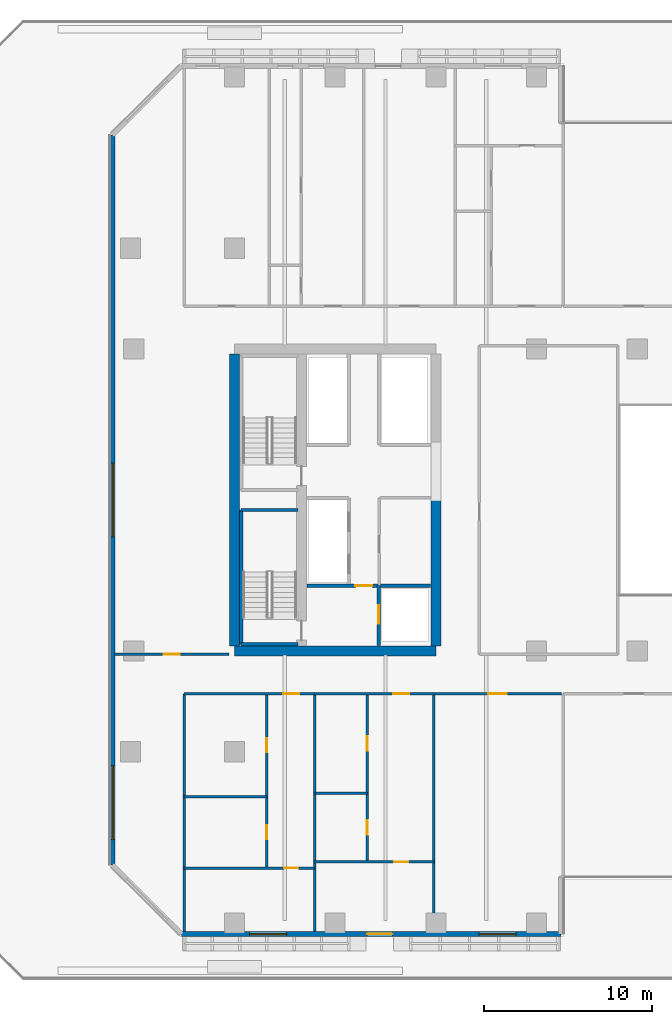
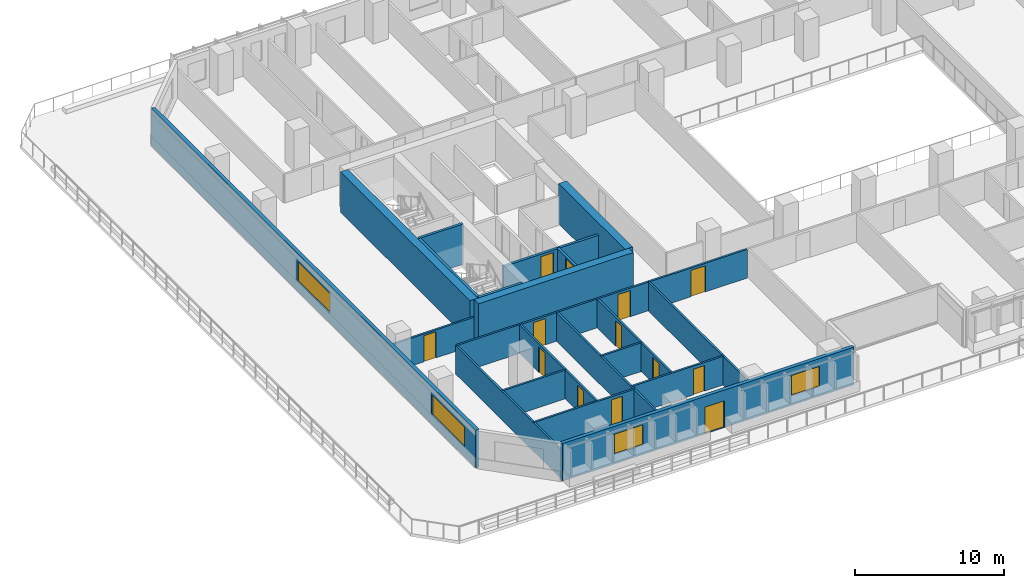
# One storey, part 6 of 23: 23 walls, 13 doors, 4 windows, 17 openings.
"""IFC4 building model written with IfcOpenShell, lengths in metres."""

from ifc_helpers import new_model, si_unit, direction, frame, frame_2d, origin, place, context, subcontext, project, spatial, rectangle, extrude, material, layer, layer_set, type_object, element, fill, save


model = new_model("IFC4")

# Units and contexts
model_context = context("Model", 3, precision=1e-05, world=origin(), true_north=direction((0.0, 1.0)))
body_context = subcontext(model_context, "Body", "Model", "MODEL_VIEW")
ifc_project = project(units=[si_unit("LENGTHUNIT", "METRE"), si_unit("AREAUNIT", "SQUARE_METRE"), si_unit("VOLUMEUNIT", "CUBIC_METRE"), si_unit("PLANEANGLEUNIT", "RADIAN"), si_unit("MASSUNIT", "GRAM", prefix="KILO")], contexts=[model_context])

# Site, building, storey
site_placement = place(None, origin())
site = spatial("IfcSite", under=ifc_project, at=site_placement, CompositionType="ELEMENT")
building_placement = place(site_placement, origin())
building = spatial("IfcBuilding", under=site, at=building_placement, Name="Tanjung Sevakor Pilgrim Tower", CompositionType="ELEMENT")
storey_placement = place(building_placement, frame((0.0, 0.0, 29.0400390625)))
storey = spatial("IfcBuildingStorey", under=building, at=storey_placement, Name="L07", CompositionType="ELEMENT", Elevation=29.0400390625)

# Walls
ifc_material_1 = material(Name="Concrete C60/75", Category="concrete")
ifc_layer_1 = layer(ifc_material_1, 0.60009765625)
ifc_layer_set_1 = layer_set([ifc_layer_1], Name="WALL-CW-600")
wall_type_1 = type_object("IfcWallType", Name="WALL-CW-600", PredefinedType="SHEAR", material=ifc_layer_set_1)
wall_1_placement = place(storey_placement, frame((24.0, 24.60009765625, 0.0), z_axis=(0.0, 0.0, 1.0), x_axis=(1.0, 0.0, 0.0)))
element("IfcWall", 1, at=wall_1_placement, inside=storey, type_object=wall_type_1, Name="L07 W Core South Shear Wall", PredefinedType="SHEAR", context=body_context, shape_type="SweptSolid", body=[
    extrude(rectangle(XDim=12.0, YDim=0.60009765625, at=frame_2d((6.0, 0.0))), origin(), (0.0, 0.0, 1.0), 3.300048828125),
])
wall_2_placement = place(storey_placement, frame((24.0, 24.89990234375, 0.0), z_axis=(0.0, 0.0, 1.0), x_axis=(0.0, 1.0, 0.0)))
element("IfcWall", 2, at=wall_2_placement, inside=storey, type_object=wall_type_1, Name="L07 W Core Outer Shear Wall", PredefinedType="SHEAR", context=body_context, shape_type="SweptSolid", body=[
    extrude(rectangle(XDim=17.400146484375, YDim=0.60009765625, at=frame_2d((8.7001953125, 0.0))), origin(), (0.0, 0.0, 1.0), 3.300048828125),
])
wall_3_placement = place(storey_placement, frame((36.0, 24.89990234375, 0.0), z_axis=(0.0, 0.0, 1.0), x_axis=(0.0, 1.0, 0.0)))
element("IfcWall", 3, at=wall_3_placement, inside=storey, type_object=wall_type_1, Name="L07 W Core Inner Shear Wall South", PredefinedType="SHEAR", context=body_context, shape_type="SweptSolid", body=[
    extrude(rectangle(XDim=8.900146484375, YDim=0.60009765625, at=frame_2d((4.4501953125, 0.0))), origin(), (0.0, 0.0, 1.0), 3.300048828125),
])

# Wall, opening, door
ifc_material_2 = material(Name="Concrete C40/50", Category="concrete")
ifc_layer_2 = layer(ifc_material_2, 0.14990234375)
ifc_layer_set_2 = layer_set([ifc_layer_2], Name="WT-COMP-150")
wall_type_2 = type_object("IfcWallType", Name="WT-COMP-150", PredefinedType="SOLIDWALL", material=ifc_layer_set_2)
wall_4_placement = place(storey_placement, frame((16.840087890625, 24.39990234375, 0.0), z_axis=(0.0, 0.0, 1.0), x_axis=(1.0, 0.0, 0.0)))
wall_4 = element("IfcWall", 4, at=wall_4_placement, inside=storey, type_object=wall_type_2, Name="L07 Partition IW-L07-029", PredefinedType="SOLIDWALL", context=body_context, shape_type="SweptSolid", body=[
    extrude(rectangle(XDim=6.83984375, YDim=0.14990234375, at=frame_2d((3.419921875, 0.0))), origin(), (0.0, 0.0, 1.0), 2.295166015625),
])
opening_1_placement = place(wall_4_placement, frame((2.945068359375, 0.0, 0.0)))
opening_1 = element("IfcOpeningElement", 5, at=opening_1_placement, cuts=wall_4, Name="Opening ID-FD2", PredefinedType="OPENING", context=body_context, shape_type="SweptSolid", body=[
    extrude(rectangle(XDim=0.949951171875, YDim=2.14990234375, at=frame_2d((0.47509765625, 1.074951171875))), frame((0.0, 0.0849609375, 0.0), z_axis=(0.0, -1.0, 0.0), x_axis=(1.0, 0.0, 0.0)), (0.0, 0.0, 1.0), 0.169921875),
])
ifc_material_3 = material(Name="Fire-Rated Timber", Category="wood")
door_type_1 = type_object("IfcDoorType", Name="DT-FIRE-950", OperationType="NOTDEFINED", PredefinedType="DOOR", material=ifc_material_3)
door_1_placement = place(opening_1_placement, origin())
door_1 = element("IfcDoor", 6, at=door_1_placement, inside=storey, type_object=door_type_1, Name="Study Room Entrance", OperationType="SINGLE_SWING_RIGHT", OverallHeight=2.14990234375, OverallWidth=0.949951171875, PredefinedType="DOOR", context=body_context, shape_type="SweptSolid", body=[
    extrude(rectangle(XDim=0.949951171875, YDim=2.14990234375, at=frame_2d((0.47509765625, 1.074951171875))), frame((0.0, 0.02490234375, 0.0), z_axis=(0.0, -1.0, 0.0), x_axis=(1.0, 0.0, 0.0)), (0.0, 0.0, 1.0), 0.050048828125),
])
fill(opening_1, door_1)

# Walls
for number, where, z_axis, x_axis, name in (
    (7, (21.0, 7.8798828125, 0.0), (0.0, 0.0, 1.0), (0.0, 1.0, 0.0), "L07 Partition IW-L07-042"),
    (8, (28.779296875, 7.8798828125, 0.0), (0.0, 0.0, 1.0), (0.0, 1.0, 0.0), "L07 Partition IW-L07-043"),
):
    element("IfcWall", number, at=place(storey_placement, frame(where, z_axis=z_axis, x_axis=x_axis)), inside=storey, type_object=wall_type_2, Name=name, PredefinedType="SOLIDWALL", context=body_context, shape_type="SweptSolid", body=[
        extrude(rectangle(XDim=14.170166015625, YDim=0.14990234375, at=frame_2d((7.0849609375, 0.0))), origin(), (0.0, 0.0, 1.0), 2.35009765625),
    ])

# Wall, opening, door
wall_5_placement = place(storey_placement, frame((21.0, 22.050048828125, 0.0), z_axis=(0.0, 0.0, 1.0), x_axis=(1.0, 0.0, 0.0)))
wall_5 = element("IfcWall", 9, at=wall_5_placement, inside=storey, type_object=wall_type_2, Name="L07 Partition IW-L07-047", PredefinedType="SOLIDWALL", context=body_context, shape_type="SweptSolid", body=[
    extrude(rectangle(XDim=7.779296875, YDim=0.14990234375, at=frame_2d((3.8896484375, 0.0))), origin(), (0.0, 0.0, 1.0), 2.35009765625),
])
opening_2_placement = place(wall_5_placement, frame((5.91455078125, 0.0, 0.0)))
opening_2 = element("IfcOpeningElement", 10, at=opening_2_placement, cuts=wall_5, Name="Opening ID-FD2", PredefinedType="OPENING", context=body_context, shape_type="SweptSolid", body=[
    extrude(rectangle(XDim=0.949951171875, YDim=2.14990234375, at=frame_2d((0.47509765625, 1.074951171875))), frame((0.0, 0.0849609375, 0.0), z_axis=(0.0, -1.0, 0.0), x_axis=(1.0, 0.0, 0.0)), (0.0, 0.0, 1.0), 0.169921875),
])
door_2_placement = place(opening_2_placement, origin())
door_2 = element("IfcDoor", 11, at=door_2_placement, inside=storey, type_object=door_type_1, Name="Residence Entrance", OperationType="SINGLE_SWING_RIGHT", OverallHeight=2.14990234375, OverallWidth=0.949951171875, PredefinedType="DOOR", context=body_context, shape_type="SweptSolid", body=[
    extrude(rectangle(XDim=0.949951171875, YDim=2.14990234375, at=frame_2d((0.47509765625, 1.074951171875))), frame((0.0, 0.02490234375, 0.0), z_axis=(0.0, -1.0, 0.0), x_axis=(1.0, 0.0, 0.0)), (0.0, 0.0, 1.0), 0.050048828125),
])
fill(opening_2, door_2)

# Wall
wall_6_placement = place(storey_placement, frame((35.884521484375, 7.8798828125, 0.0), z_axis=(0.0, 0.0, 1.0), x_axis=(0.0, 1.0, 0.0)))
element("IfcWall", 12, at=wall_6_placement, inside=storey, type_object=wall_type_2, Name="L07 Partition IW-L07-048", PredefinedType="SOLIDWALL", context=body_context, shape_type="SweptSolid", body=[
    extrude(rectangle(XDim=14.170166015625, YDim=0.14990234375, at=frame_2d((7.0849609375, 0.0))), origin(), (0.0, 0.0, 1.0), 2.35009765625),
])

# Wall, opening, door
wall_7_placement = place(storey_placement, frame((28.779296875, 22.050048828125, 0.0), z_axis=(0.0, 0.0, 1.0), x_axis=(1.0, 0.0, 0.0)))
wall_7 = element("IfcWall", 13, at=wall_7_placement, inside=storey, type_object=wall_type_2, Name="L07 Partition IW-L07-052", PredefinedType="SOLIDWALL", context=body_context, shape_type="SweptSolid", body=[
    extrude(rectangle(XDim=7.105224609375, YDim=0.14990234375, at=frame_2d((3.552734375, 0.0))), origin(), (0.0, 0.0, 1.0), 2.35009765625),
])
opening_3_placement = place(wall_7_placement, frame((4.68798828125, 0.0, 0.0)))
opening_3 = element("IfcOpeningElement", 14, at=opening_3_placement, cuts=wall_7, Name="Opening ID-FD2", PredefinedType="OPENING", context=body_context, shape_type="SweptSolid", body=[
    extrude(rectangle(XDim=0.949951171875, YDim=2.14990234375, at=frame_2d((0.47509765625, 1.074951171875))), frame((0.0, 0.0849609375, 0.0), z_axis=(0.0, -1.0, 0.0), x_axis=(1.0, 0.0, 0.0)), (0.0, 0.0, 1.0), 0.169921875),
])
door_3_placement = place(opening_3_placement, origin())
door_3 = element("IfcDoor", 15, at=door_3_placement, inside=storey, type_object=door_type_1, Name="Residence Entrance", OperationType="SINGLE_SWING_RIGHT", OverallHeight=2.14990234375, OverallWidth=0.949951171875, PredefinedType="DOOR", context=body_context, shape_type="SweptSolid", body=[
    extrude(rectangle(XDim=0.949951171875, YDim=2.14990234375, at=frame_2d((0.47509765625, 1.074951171875))), frame((0.0, 0.02490234375, 0.0), z_axis=(0.0, -1.0, 0.0), x_axis=(1.0, 0.0, 0.0)), (0.0, 0.0, 1.0), 0.050048828125),
])
fill(opening_3, door_3)

wall_8_placement = place(storey_placement, frame((35.884521484375, 22.050048828125, 0.0), z_axis=(0.0, 0.0, 1.0), x_axis=(1.0, 0.0, 0.0)))
wall_8 = element("IfcWall", 16, at=wall_8_placement, inside=storey, type_object=wall_type_2, Name="L07 Partition IW-L07-053", PredefinedType="SOLIDWALL", context=body_context, shape_type="SweptSolid", body=[
    extrude(rectangle(XDim=7.595458984375, YDim=0.14990234375, at=frame_2d((3.7978515625, 0.0))), origin(), (0.0, 0.0, 1.0), 2.35009765625),
])
opening_4_placement = place(wall_8_placement, frame((3.247802734375, 0.0, 0.0)))
opening_4 = element("IfcOpeningElement", 17, at=opening_4_placement, cuts=wall_8, Name="Opening ID-FD0", PredefinedType="OPENING", context=body_context, shape_type="SweptSolid", body=[
    extrude(rectangle(XDim=1.10009765625, YDim=2.14990234375, at=frame_2d((0.550048828125, 1.074951171875))), frame((0.0, 0.0849609375, 0.0), z_axis=(0.0, -1.0, 0.0), x_axis=(1.0, 0.0, 0.0)), (0.0, 0.0, 1.0), 0.169921875),
])
ifc_material_4 = material(Name="Fire-Rated Steel S355J2", Category="steel")
door_type_2 = type_object("IfcDoorType", Name="DT-FIRE-1100", OperationType="NOTDEFINED", PredefinedType="DOOR", material=ifc_material_4)
door_4_placement = place(opening_4_placement, origin())
door_4 = element("IfcDoor", 18, at=door_4_placement, inside=storey, type_object=door_type_2, Name="Communal Lounge Door", OperationType="SINGLE_SWING_LEFT", OverallHeight=2.14990234375, OverallWidth=1.10009765625, PredefinedType="DOOR", context=body_context, shape_type="SweptSolid", body=[
    extrude(rectangle(XDim=1.10009765625, YDim=2.14990234375, at=frame_2d((0.550048828125, 1.074951171875))), frame((0.0, 0.02490234375, 0.0), z_axis=(0.0, -1.0, 0.0), x_axis=(1.0, 0.0, 0.0)), (0.0, 0.0, 1.0), 0.050048828125),
])
fill(opening_4, door_4)

# Wall, openings, door, windows
ifc_material_5 = material(Name="Precast concrete C45/55", Category="concrete")
ifc_layer_3 = layer(ifc_material_5, 0.280029296875)
ifc_layer_set_3 = layer_set([ifc_layer_3], Name="WT-EW-STN2")
wall_type_3 = type_object("IfcWallType", Name="WT-EW-STN2", PredefinedType="SOLIDWALL", material=ifc_layer_set_3)
wall_9_placement = place(storey_placement, frame((20.85791015625, 7.739990234375, 0.0), z_axis=(0.0, 0.0, 1.0), x_axis=(1.0, 0.0, 0.0)))
wall_9 = element("IfcWall", 19, at=wall_9_placement, inside=storey, type_object=wall_type_3, Name="L07 MAIN Exterior Wall 1", PredefinedType="SOLIDWALL", context=body_context, shape_type="SweptSolid", body=[
    extrude(rectangle(XDim=22.60205078125, YDim=0.280029296875, at=frame_2d((11.301025390625, 0.0))), origin(), (0.0, 0.0, 1.0), 3.080078125),
])
opening_5_placement = place(wall_9_placement, frame((11.051025390625, 0.0, 0.0)))
opening_5 = element("IfcOpeningElement", 20, at=opening_5_placement, cuts=wall_9, Name="Opening ED-TER-1500", PredefinedType="OPENING", context=body_context, shape_type="SweptSolid", body=[
    extrude(rectangle(XDim=1.5, YDim=2.199951171875, at=frame_2d((0.75, 1.10009765625))), frame((0.0, 0.14990234375, 0.0), z_axis=(0.0, -1.0, 0.0), x_axis=(1.0, 0.0, 0.0)), (0.0, 0.0, 1.0), 0.300048828125),
])
opening_6_placement = place(wall_9_placement, frame((4.051513671875, 0.0, 0.780029296875)))
opening_6 = element("IfcOpeningElement", 21, at=opening_6_placement, cuts=wall_9, Name="Opening WN-Z1-1660", PredefinedType="OPENING", context=body_context, shape_type="SweptSolid", body=[
    extrude(rectangle(XDim=2.199951171875, YDim=1.659912109375, at=frame_2d((1.10009765625, 0.830078125))), frame((0.0, 0.14990234375, 0.0), z_axis=(0.0, -1.0, 0.0), x_axis=(1.0, 0.0, 0.0)), (0.0, 0.0, 1.0), 0.300048828125),
])
opening_7_placement = place(wall_9_placement, frame((17.724365234375, 0.0, 0.780029296875)))
opening_7 = element("IfcOpeningElement", 22, at=opening_7_placement, cuts=wall_9, Name="Opening WN-Z1-1660", PredefinedType="OPENING", context=body_context, shape_type="SweptSolid", body=[
    extrude(rectangle(XDim=2.199951171875, YDim=1.659912109375, at=frame_2d((1.10009765625, 0.830078125))), frame((0.0, 0.14990234375, 0.0), z_axis=(0.0, -1.0, 0.0), x_axis=(1.0, 0.0, 0.0)), (0.0, 0.0, 1.0), 0.300048828125),
])
ifc_material_6 = material(Name="Anodised Aluminium and Laminated Glass", Category="aluminium")
door_type_3 = type_object("IfcDoorType", Name="DTYP-ED-TER-1500", OperationType="DOUBLE_DOOR_SINGLE_SWING", PredefinedType="DOOR", material=ifc_material_6)
door_5_placement = place(opening_5_placement, frame((1.5, 0.0, 0.0), z_axis=(0.0, 0.0, 1.0), x_axis=(-1.0, 0.0, 0.0)))
door_5 = element("IfcDoor", 23, at=door_5_placement, inside=storey, type_object=door_type_3, Name="L07 Cascade Terrace Door S", OperationType="SINGLE_SWING_RIGHT", OverallHeight=2.199951171875, OverallWidth=1.5, PredefinedType="DOOR", context=body_context, shape_type="SweptSolid", body=[
    extrude(rectangle(XDim=1.5, YDim=2.199951171875, at=frame_2d((0.75, 1.10009765625))), frame((0.0, 0.02490234375, 0.0), z_axis=(0.0, -1.0, 0.0), x_axis=(1.0, 0.0, 0.0)), (0.0, 0.0, 1.0), 0.050048828125),
])
fill(opening_5, door_5)
ifc_material_7 = material(Name="Thermally Broken Aluminium and Low-E Glass", Category="aluminium")
window_type_1 = type_object("IfcWindowType", Name="WTYP-WN-Z1-1660", PartitioningType="DOUBLE_PANEL_VERTICAL", PredefinedType="WINDOW", material=ifc_material_7)
window_1_placement = place(opening_6_placement, origin())
window_1 = element("IfcWindow", 24, at=window_1_placement, inside=storey, type_object=window_type_1, Name="L07 Facade Window 01", OverallHeight=1.659912109375, OverallWidth=2.199951171875, PartitioningType="SINGLE_PANEL", PredefinedType="WINDOW", context=body_context, shape_type="SweptSolid", body=[
    extrude(rectangle(XDim=2.199951171875, YDim=1.659912109375, at=frame_2d((1.10009765625, 0.830078125))), frame((0.0, 0.030029296875, 0.0), z_axis=(0.0, -1.0, 0.0), x_axis=(1.0, 0.0, 0.0)), (0.0, 0.0, 1.0), 0.06005859375),
])
fill(opening_6, window_1)
window_2_placement = place(opening_7_placement, origin())
window_2 = element("IfcWindow", 25, at=window_2_placement, inside=storey, type_object=window_type_1, Name="L07 Facade Window 02", OverallHeight=1.659912109375, OverallWidth=2.199951171875, PartitioningType="SINGLE_PANEL", PredefinedType="WINDOW", context=body_context, shape_type="SweptSolid", body=[
    extrude(rectangle(XDim=2.199951171875, YDim=1.659912109375, at=frame_2d((1.10009765625, 0.830078125))), frame((0.0, 0.030029296875, 0.0), z_axis=(0.0, -1.0, 0.0), x_axis=(1.0, 0.0, 0.0)), (0.0, 0.0, 1.0), 0.06005859375),
])
fill(opening_7, window_2)

# Wall, openings, windows
wall_10_placement = place(storey_placement, frame((16.739990234375, 55.342041015625, 0.0), z_axis=(0.0, 0.0, 1.0), x_axis=(0.0, -1.0, 0.0)))
wall_10 = element("IfcWall", 26, at=wall_10_placement, inside=storey, type_object=wall_type_3, Name="L07 MAIN Exterior Wall 15", PredefinedType="SOLIDWALL", context=body_context, shape_type="SweptSolid", body=[
    extrude(rectangle(XDim=43.484130859375, YDim=0.280029296875, at=frame_2d((21.7421875, 0.0))), origin(), (0.0, 0.0, 1.0), 3.080078125),
])
opening_8_placement = place(wall_10_placement, frame((19.5419921875, 0.0, 0.780029296875)))
opening_8 = element("IfcOpeningElement", 27, at=opening_8_placement, cuts=wall_10, Name="Opening WN-ENDW-1660", PredefinedType="OPENING", context=body_context, shape_type="SweptSolid", body=[
    extrude(rectangle(XDim=4.39990234375, YDim=1.659912109375, at=frame_2d((2.199951171875, 0.830078125))), frame((0.0, 0.14990234375, 0.0), z_axis=(0.0, -1.0, 0.0), x_axis=(1.0, 0.0, 0.0)), (0.0, 0.0, 1.0), 0.300048828125),
])
opening_9_placement = place(wall_10_placement, frame((37.572998046875, 0.0, 0.780029296875)))
opening_9 = element("IfcOpeningElement", 28, at=opening_9_placement, cuts=wall_10, Name="Opening WN-ENDW-1660", PredefinedType="OPENING", context=body_context, shape_type="SweptSolid", body=[
    extrude(rectangle(XDim=4.39990234375, YDim=1.659912109375, at=frame_2d((2.199951171875, 0.830078125))), frame((0.0, 0.14990234375, 0.0), z_axis=(0.0, -1.0, 0.0), x_axis=(1.0, 0.0, 0.0)), (0.0, 0.0, 1.0), 0.300048828125),
])
ifc_material_8 = material(Name="Thermally Broken Aluminium and Low-E Glass", Category="aluminium")
window_type_2 = type_object("IfcWindowType", Name="WTYP-WN-ENDW-1660", PartitioningType="DOUBLE_PANEL_VERTICAL", PredefinedType="WINDOW", material=ifc_material_8)
window_3_placement = place(opening_8_placement, origin())
window_3 = element("IfcWindow", 29, at=window_3_placement, inside=storey, type_object=window_type_2, Name="L07 Facade Window 01", OverallHeight=1.659912109375, OverallWidth=4.39990234375, PartitioningType="SINGLE_PANEL", PredefinedType="WINDOW", context=body_context, shape_type="SweptSolid", body=[
    extrude(rectangle(XDim=4.39990234375, YDim=1.659912109375, at=frame_2d((2.199951171875, 0.830078125))), frame((0.0, 0.030029296875, 0.0), z_axis=(0.0, -1.0, 0.0), x_axis=(1.0, 0.0, 0.0)), (0.0, 0.0, 1.0), 0.06005859375),
])
fill(opening_8, window_3)
window_4_placement = place(opening_9_placement, origin())
window_4 = element("IfcWindow", 30, at=window_4_placement, inside=storey, type_object=window_type_2, Name="L07 Facade Window 02", OverallHeight=1.659912109375, OverallWidth=4.39990234375, PartitioningType="SINGLE_PANEL", PredefinedType="WINDOW", context=body_context, shape_type="SweptSolid", body=[
    extrude(rectangle(XDim=4.39990234375, YDim=1.659912109375, at=frame_2d((2.199951171875, 0.830078125))), frame((0.0, 0.030029296875, 0.0), z_axis=(0.0, -1.0, 0.0), x_axis=(1.0, 0.0, 0.0)), (0.0, 0.0, 1.0), 0.06005859375),
])
fill(opening_9, window_4)

# Walls
ifc_material_9 = material(Name="Concrete C40/50", Category="concrete")
ifc_layer_4 = layer(ifc_material_9, 0.199951171875)
ifc_layer_set_4 = layer_set([ifc_layer_4], Name="WT-FIRE-200")
wall_type_4 = type_object("IfcWallType", Name="WT-FIRE-200", PredefinedType="SOLIDWALL", material=ifc_layer_set_4)
for number, where, z_axis, x_axis, name in (
    (31, (24.39990234375, 25.0, 0.0), (0.0, 0.0, 1.0), (1.0, 0.0, 0.0), "L07 TS-W1 Shaft Wall 1"),
    (32, (27.800048828125, 33.0, 0.0), (0.0, 0.0, 1.0), (-1.0, 0.0, 0.0), "L07 TS-W1 Shaft Wall 2"),
):
    element("IfcWall", number, at=place(storey_placement, frame(where, z_axis=z_axis, x_axis=x_axis)), inside=storey, type_object=wall_type_4, Name=name, PredefinedType="SOLIDWALL", context=body_context, shape_type="SweptSolid", body=[
        extrude(rectangle(XDim=3.400146484375, YDim=0.199951171875, at=frame_2d((1.7001953125, 0.0))), origin(), (0.0, 0.0, 1.0), 3.300048828125),
    ])
wall_11_placement = place(storey_placement, frame((24.39990234375, 33.0, 0.0), z_axis=(0.0, 0.0, 1.0), x_axis=(0.0, -1.0, 0.0)))
element("IfcWall", 33, at=wall_11_placement, inside=storey, type_object=wall_type_4, Name="L07 TS-W1 Shaft Wall 3", PredefinedType="SOLIDWALL", context=body_context, shape_type="SweptSolid", body=[
    extrude(rectangle(XDim=8.0, YDim=0.199951171875, at=frame_2d((4.0, 0.0))), origin(), (0.0, 0.0, 1.0), 3.300048828125),
])

# Wall, opening, door
ifc_material_10 = material(Name="Concrete C40/50", Category="concrete")
ifc_layer_5 = layer(ifc_material_10, 0.199951171875)
ifc_layer_set_5 = layer_set([ifc_layer_5], Name="WT-FPRT-200")
wall_type_5 = type_object("IfcWallType", Name="WT-FPRT-200", PredefinedType="SOLIDWALL", material=ifc_layer_set_5)
wall_12_placement = place(storey_placement, frame((32.60009765625, 24.919921875, 0.0), z_axis=(0.0, 0.0, 1.0), x_axis=(0.0, 1.0, 0.0)))
wall_12 = element("IfcWall", 34, at=wall_12_placement, inside=storey, type_object=wall_type_5, Name="L07 Partition IW-L07-001", PredefinedType="SOLIDWALL", context=body_context, shape_type="SweptSolid", body=[
    extrude(rectangle(XDim=3.580078125, YDim=0.199951171875, at=frame_2d((1.7900390625, 0.0))), origin(), (0.0, 0.0, 1.0), 2.35009765625),
])
opening_10_placement = place(wall_12_placement, frame((1.300048828125, 0.0, 0.0)))
opening_10 = element("IfcOpeningElement", 35, at=opening_10_placement, cuts=wall_12, Name="Opening LD-1100", PredefinedType="OPENING", context=body_context, shape_type="SweptSolid", body=[
    extrude(rectangle(XDim=1.10009765625, YDim=2.199951171875, at=frame_2d((0.550048828125, 1.10009765625))), frame((0.0, 0.10986328125, 0.0), z_axis=(0.0, -1.0, 0.0), x_axis=(1.0, 0.0, 0.0)), (0.0, 0.0, 1.0), 0.219970703125),
])
ifc_material_11 = material(Name="Brushed Stainless Steel S355J2", Category="steel")
door_type_4 = type_object("IfcDoorType", Name="DT-LIFT-1100", OperationType="SLIDING_TO_LEFT", PredefinedType="DOOR", material=ifc_material_11)
door_6_placement = place(opening_10_placement, origin())
door_6 = element("IfcDoor", 36, at=door_6_placement, inside=storey, type_object=door_type_4, Name="LD-FL-W", OperationType="SLIDING_TO_LEFT", OverallHeight=2.199951171875, OverallWidth=1.10009765625, PredefinedType="DOOR", context=body_context, shape_type="SweptSolid", body=[
    extrude(rectangle(XDim=1.10009765625, YDim=2.199951171875, at=frame_2d((0.550048828125, 1.10009765625))), frame((0.0, 0.02490234375, 0.0), z_axis=(0.0, -1.0, 0.0), x_axis=(1.0, 0.0, 0.0)), (0.0, 0.0, 1.0), 0.050048828125),
])
fill(opening_10, door_6)

wall_13_placement = place(storey_placement, frame((28.320068359375, 28.5, 0.0), z_axis=(0.0, 0.0, 1.0), x_axis=(1.0, 0.0, 0.0)))
wall_13 = element("IfcWall", 37, at=wall_13_placement, inside=storey, type_object=wall_type_5, Name="L07 Partition IW-L07-002", PredefinedType="SOLIDWALL", context=body_context, shape_type="SweptSolid", body=[
    extrude(rectangle(XDim=7.35986328125, YDim=0.199951171875, at=frame_2d((3.679931640625, 0.0))), origin(), (0.0, 0.0, 1.0), 2.35009765625),
])
opening_11_placement = place(wall_13_placement, frame((2.8798828125, 0.0, 0.0)))
opening_11 = element("IfcOpeningElement", 38, at=opening_11_placement, cuts=wall_13, Name="Opening ID-FD1", PredefinedType="OPENING", context=body_context, shape_type="SweptSolid", body=[
    extrude(rectangle(XDim=1.0, YDim=2.14990234375, at=frame_2d((0.5, 1.074951171875))), frame((0.0, 0.10986328125, 0.0), z_axis=(0.0, -1.0, 0.0), x_axis=(1.0, 0.0, 0.0)), (0.0, 0.0, 1.0), 0.219970703125),
])
ifc_material_12 = material(Name="Fire-Rated Steel S355J2", Category="steel")
door_type_5 = type_object("IfcDoorType", Name="DT-FIRE-1000", OperationType="NOTDEFINED", PredefinedType="DOOR", material=ifc_material_12)
door_7_placement = place(opening_11_placement, origin())
door_7 = element("IfcDoor", 39, at=door_7_placement, inside=storey, type_object=door_type_5, Name="Fire Lobby Door W", OperationType="SINGLE_SWING_LEFT", OverallHeight=2.14990234375, OverallWidth=1.0, PredefinedType="DOOR", context=body_context, shape_type="SweptSolid", body=[
    extrude(rectangle(XDim=1.0, YDim=2.14990234375, at=frame_2d((0.5, 1.074951171875))), frame((0.0, 0.02490234375, 0.0), z_axis=(0.0, -1.0, 0.0), x_axis=(1.0, 0.0, 0.0)), (0.0, 0.0, 1.0), 0.050048828125),
])
fill(opening_11, door_7)

# Wall
ifc_material_13 = material(Name="Gypsum Board Partition", Category="gypsum board")
ifc_layer_6 = layer(ifc_material_13, 0.14990234375)
ifc_layer_set_6 = layer_set([ifc_layer_6], Name="WT-PART-150")
wall_type_6 = type_object("IfcWallType", Name="WT-PART-150", PredefinedType="PARTITIONING", material=ifc_layer_set_6)
wall_14_placement = place(storey_placement, frame((21.0, 15.927001953125, 0.0), z_axis=(0.0, 0.0, 1.0), x_axis=(1.0, 0.0, 0.0)))
element("IfcWall", 40, at=wall_14_placement, inside=storey, type_object=wall_type_6, Name="L07 Partition IW-L07-044", PredefinedType="PARTITIONING", context=body_context, shape_type="SweptSolid", body=[
    extrude(rectangle(XDim=4.919921875, YDim=0.14990234375, at=frame_2d((2.4599609375, 0.0))), origin(), (0.0, 0.0, 1.0), 2.35009765625),
])

# Wall, openings, doors
wall_15_placement = place(storey_placement, frame((25.919921875, 11.672119140625, 0.0), z_axis=(0.0, 0.0, 1.0), x_axis=(0.0, 1.0, 0.0)))
wall_15 = element("IfcWall", 41, at=wall_15_placement, inside=storey, type_object=wall_type_6, Name="L07 Partition IW-L07-045", PredefinedType="PARTITIONING", context=body_context, shape_type="SweptSolid", body=[
    extrude(rectangle(XDim=10.3779296875, YDim=0.14990234375, at=frame_2d((5.18896484375, 0.0))), origin(), (0.0, 0.0, 1.0), 2.35009765625),
])
opening_12_placement = place(wall_15_placement, frame((1.702392578125, 0.0, 0.0)))
opening_12 = element("IfcOpeningElement", 42, at=opening_12_placement, cuts=wall_15, Name="Opening ID-WC1", PredefinedType="OPENING", context=body_context, shape_type="SweptSolid", body=[
    extrude(rectangle(XDim=0.85009765625, YDim=2.10009765625, at=frame_2d((0.425048828125, 1.050048828125))), frame((0.0, 0.0849609375, 0.0), z_axis=(0.0, -1.0, 0.0), x_axis=(1.0, 0.0, 0.0)), (0.0, 0.0, 1.0), 0.169921875),
])
opening_13_placement = place(wall_15_placement, frame((6.891357421875, 0.0, 0.0)))
opening_13 = element("IfcOpeningElement", 43, at=opening_13_placement, cuts=wall_15, Name="Opening ID-WC1", PredefinedType="OPENING", context=body_context, shape_type="SweptSolid", body=[
    extrude(rectangle(XDim=0.85009765625, YDim=2.10009765625, at=frame_2d((0.425048828125, 1.050048828125))), frame((0.0, 0.0849609375, 0.0), z_axis=(0.0, -1.0, 0.0), x_axis=(1.0, 0.0, 0.0)), (0.0, 0.0, 1.0), 0.169921875),
])
ifc_material_14 = material(Name="Moisture-Resistant Timber", Category="wood")
door_type_6 = type_object("IfcDoorType", Name="DT-INT-850", OperationType="NOTDEFINED", PredefinedType="DOOR", material=ifc_material_14)
door_8_placement = place(opening_12_placement, origin())
door_8 = element("IfcDoor", 44, at=door_8_placement, inside=storey, type_object=door_type_6, Name="Residence Bathroom Door", OperationType="SINGLE_SWING_LEFT", OverallHeight=2.10009765625, OverallWidth=0.85009765625, PredefinedType="DOOR", context=body_context, shape_type="SweptSolid", body=[
    extrude(rectangle(XDim=0.85009765625, YDim=2.10009765625, at=frame_2d((0.425048828125, 1.050048828125))), frame((0.0, 0.02490234375, 0.0), z_axis=(0.0, -1.0, 0.0), x_axis=(1.0, 0.0, 0.0)), (0.0, 0.0, 1.0), 0.050048828125),
])
fill(opening_12, door_8)
door_9_placement = place(opening_13_placement, origin())
door_9 = element("IfcDoor", 45, at=door_9_placement, inside=storey, type_object=door_type_6, Name="Residence Kitchenette Door", OperationType="SINGLE_SWING_RIGHT", OverallHeight=2.10009765625, OverallWidth=0.85009765625, PredefinedType="DOOR", context=body_context, shape_type="SweptSolid", body=[
    extrude(rectangle(XDim=0.85009765625, YDim=2.10009765625, at=frame_2d((0.425048828125, 1.050048828125))), frame((0.0, 0.02490234375, 0.0), z_axis=(0.0, -1.0, 0.0), x_axis=(1.0, 0.0, 0.0)), (0.0, 0.0, 1.0), 0.050048828125),
])
fill(opening_13, door_9)

# Wall, opening, door
wall_16_placement = place(storey_placement, frame((21.0, 11.672119140625, 0.0), z_axis=(0.0, 0.0, 1.0), x_axis=(1.0, 0.0, 0.0)))
wall_16 = element("IfcWall", 46, at=wall_16_placement, inside=storey, type_object=wall_type_6, Name="L07 Partition IW-L07-046", PredefinedType="PARTITIONING", context=body_context, shape_type="SweptSolid", body=[
    extrude(rectangle(XDim=7.779296875, YDim=0.14990234375, at=frame_2d((3.8896484375, 0.0))), origin(), (0.0, 0.0, 1.0), 2.35009765625),
])
opening_14_placement = place(wall_16_placement, frame((5.964599609375, 0.0, 0.0)))
opening_14 = element("IfcOpeningElement", 47, at=opening_14_placement, cuts=wall_16, Name="Opening ID-WC1", PredefinedType="OPENING", context=body_context, shape_type="SweptSolid", body=[
    extrude(rectangle(XDim=0.85009765625, YDim=2.10009765625, at=frame_2d((0.425048828125, 1.050048828125))), frame((0.0, 0.0849609375, 0.0), z_axis=(0.0, -1.0, 0.0), x_axis=(1.0, 0.0, 0.0)), (0.0, 0.0, 1.0), 0.169921875),
])
door_10_placement = place(opening_14_placement, origin())
door_10 = element("IfcDoor", 48, at=door_10_placement, inside=storey, type_object=door_type_6, Name="Residence Bedroom Door", OperationType="SINGLE_SWING_LEFT", OverallHeight=2.10009765625, OverallWidth=0.85009765625, PredefinedType="DOOR", context=body_context, shape_type="SweptSolid", body=[
    extrude(rectangle(XDim=0.85009765625, YDim=2.10009765625, at=frame_2d((0.425048828125, 1.050048828125))), frame((0.0, 0.02490234375, 0.0), z_axis=(0.0, -1.0, 0.0), x_axis=(1.0, 0.0, 0.0)), (0.0, 0.0, 1.0), 0.050048828125),
])
fill(opening_14, door_10)

# Wall
wall_17_placement = place(storey_placement, frame((28.779296875, 16.139404296875, 0.0), z_axis=(0.0, 0.0, 1.0), x_axis=(1.0, 0.0, 0.0)))
element("IfcWall", 49, at=wall_17_placement, inside=storey, type_object=wall_type_6, Name="L07 Partition IW-L07-049", PredefinedType="PARTITIONING", context=body_context, shape_type="SweptSolid", body=[
    extrude(rectangle(XDim=3.140625, YDim=0.14990234375, at=frame_2d((1.5703125, 0.0))), origin(), (0.0, 0.0, 1.0), 2.35009765625),
])

# Wall, openings, doors
wall_18_placement = place(storey_placement, frame((31.919921875, 12.03173828125, 0.0), z_axis=(0.0, 0.0, 1.0), x_axis=(0.0, 1.0, 0.0)))
wall_18 = element("IfcWall", 50, at=wall_18_placement, inside=storey, type_object=wall_type_6, Name="L07 Partition IW-L07-050", PredefinedType="PARTITIONING", context=body_context, shape_type="SweptSolid", body=[
    extrude(rectangle(XDim=10.018310546875, YDim=0.14990234375, at=frame_2d((5.00927734375, 0.0))), origin(), (0.0, 0.0, 1.0), 2.35009765625),
])
opening_15_placement = place(wall_18_placement, frame((1.628662109375, 0.0, 0.0)))
opening_15 = element("IfcOpeningElement", 51, at=opening_15_placement, cuts=wall_18, Name="Opening ID-WC1", PredefinedType="OPENING", context=body_context, shape_type="SweptSolid", body=[
    extrude(rectangle(XDim=0.85009765625, YDim=2.10009765625, at=frame_2d((0.425048828125, 1.050048828125))), frame((0.0, 0.0849609375, 0.0), z_axis=(0.0, -1.0, 0.0), x_axis=(1.0, 0.0, 0.0)), (0.0, 0.0, 1.0), 0.169921875),
])
opening_16_placement = place(wall_18_placement, frame((6.6376953125, 0.0, 0.0)))
opening_16 = element("IfcOpeningElement", 52, at=opening_16_placement, cuts=wall_18, Name="Opening ID-WC1", PredefinedType="OPENING", context=body_context, shape_type="SweptSolid", body=[
    extrude(rectangle(XDim=0.85009765625, YDim=2.10009765625, at=frame_2d((0.425048828125, 1.050048828125))), frame((0.0, 0.0849609375, 0.0), z_axis=(0.0, -1.0, 0.0), x_axis=(1.0, 0.0, 0.0)), (0.0, 0.0, 1.0), 0.169921875),
])
door_11_placement = place(opening_15_placement, origin())
door_11 = element("IfcDoor", 53, at=door_11_placement, inside=storey, type_object=door_type_6, Name="Residence Bathroom Door", OperationType="SINGLE_SWING_LEFT", OverallHeight=2.10009765625, OverallWidth=0.85009765625, PredefinedType="DOOR", context=body_context, shape_type="SweptSolid", body=[
    extrude(rectangle(XDim=0.85009765625, YDim=2.10009765625, at=frame_2d((0.425048828125, 1.050048828125))), frame((0.0, 0.02490234375, 0.0), z_axis=(0.0, -1.0, 0.0), x_axis=(1.0, 0.0, 0.0)), (0.0, 0.0, 1.0), 0.050048828125),
])
fill(opening_15, door_11)
door_12_placement = place(opening_16_placement, origin())
door_12 = element("IfcDoor", 54, at=door_12_placement, inside=storey, type_object=door_type_6, Name="Residence Kitchenette Door", OperationType="SINGLE_SWING_RIGHT", OverallHeight=2.10009765625, OverallWidth=0.85009765625, PredefinedType="DOOR", context=body_context, shape_type="SweptSolid", body=[
    extrude(rectangle(XDim=0.85009765625, YDim=2.10009765625, at=frame_2d((0.425048828125, 1.050048828125))), frame((0.0, 0.02490234375, 0.0), z_axis=(0.0, -1.0, 0.0), x_axis=(1.0, 0.0, 0.0)), (0.0, 0.0, 1.0), 0.050048828125),
])
fill(opening_16, door_12)

# Wall, opening, door
wall_19_placement = place(storey_placement, frame((28.779296875, 12.03173828125, 0.0), z_axis=(0.0, 0.0, 1.0), x_axis=(1.0, 0.0, 0.0)))
wall_19 = element("IfcWall", 55, at=wall_19_placement, inside=storey, type_object=wall_type_6, Name="L07 Partition IW-L07-051", PredefinedType="PARTITIONING", context=body_context, shape_type="SweptSolid", body=[
    extrude(rectangle(XDim=7.105224609375, YDim=0.14990234375, at=frame_2d((3.552734375, 0.0))), origin(), (0.0, 0.0, 1.0), 2.35009765625),
])
opening_17_placement = place(wall_19_placement, frame((4.738037109375, 0.0, 0.0)))
opening_17 = element("IfcOpeningElement", 56, at=opening_17_placement, cuts=wall_19, Name="Opening ID-WC1", PredefinedType="OPENING", context=body_context, shape_type="SweptSolid", body=[
    extrude(rectangle(XDim=0.85009765625, YDim=2.10009765625, at=frame_2d((0.425048828125, 1.050048828125))), frame((0.0, 0.0849609375, 0.0), z_axis=(0.0, -1.0, 0.0), x_axis=(1.0, 0.0, 0.0)), (0.0, 0.0, 1.0), 0.169921875),
])
door_13_placement = place(opening_17_placement, origin())
door_13 = element("IfcDoor", 57, at=door_13_placement, inside=storey, type_object=door_type_6, Name="Residence Bedroom Door", OperationType="SINGLE_SWING_LEFT", OverallHeight=2.10009765625, OverallWidth=0.85009765625, PredefinedType="DOOR", context=body_context, shape_type="SweptSolid", body=[
    extrude(rectangle(XDim=0.85009765625, YDim=2.10009765625, at=frame_2d((0.425048828125, 1.050048828125))), frame((0.0, 0.02490234375, 0.0), z_axis=(0.0, -1.0, 0.0), x_axis=(1.0, 0.0, 0.0)), (0.0, 0.0, 1.0), 0.050048828125),
])
fill(opening_17, door_13)

save(model, "model.ifc")
